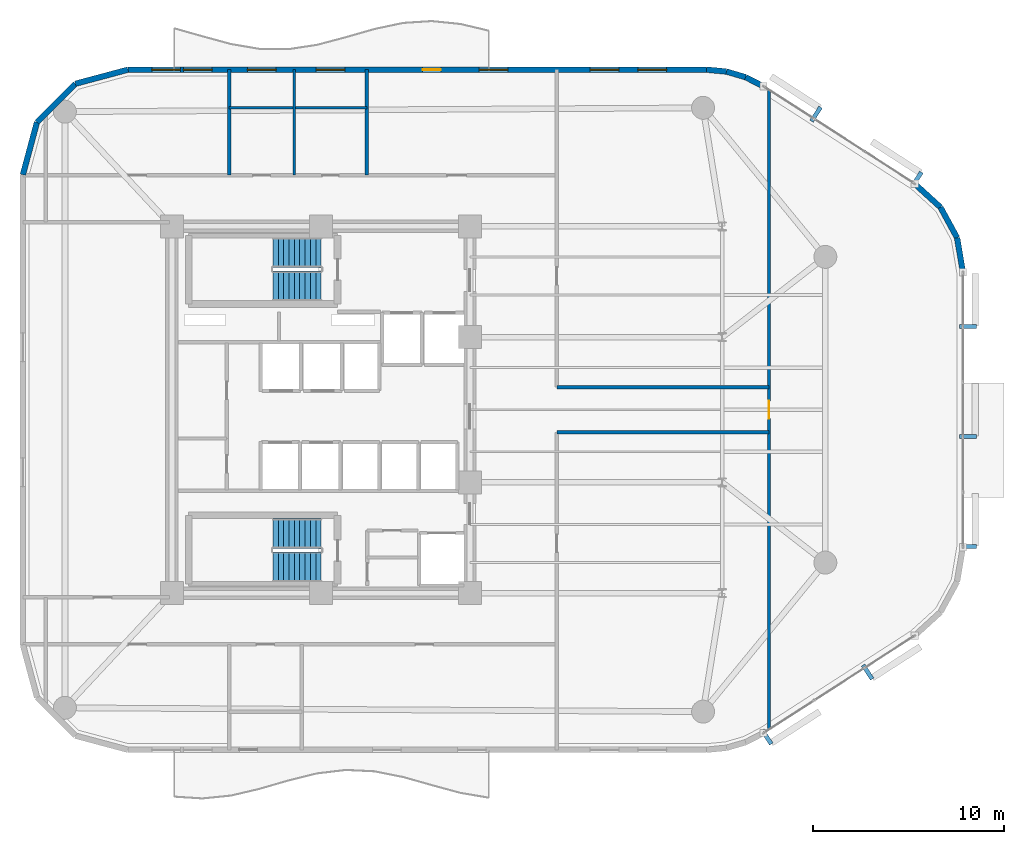
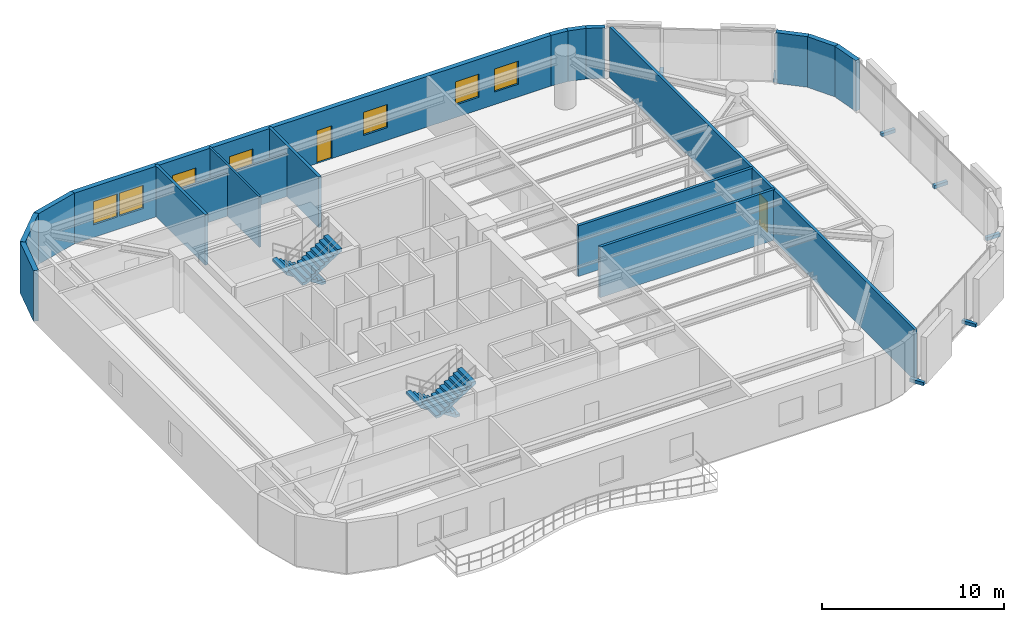
# One storey, part 12 of 14: 17 walls, 7 discrete accessories, 7 windows, 4 stair flights, 2 doors, 9 openings, 2 elements without a shape of their own.
"""IFC4 building model written with IfcOpenShell, lengths in metres."""

from ifc_helpers import new_model, si_unit, direction, frame, frame_2d, origin, origin_2d, place, context, subcontext, project, spatial, polyline, rectangle, outline, extrude, material, layer, layer_set, type_object, element, fill, aggregate, save


model = new_model("IFC4")

# Units and contexts
model_context = context("Model", 3, precision=1e-05, world=origin(), true_north=direction((0.0, 1.0)))
body_context = subcontext(model_context, "Body", "Model", "MODEL_VIEW")
ifc_project = project(units=[si_unit("LENGTHUNIT", "METRE"), si_unit("AREAUNIT", "SQUARE_METRE"), si_unit("VOLUMEUNIT", "CUBIC_METRE"), si_unit("PLANEANGLEUNIT", "RADIAN"), si_unit("MASSUNIT", "GRAM", prefix="KILO")], contexts=[model_context])

# Site, building, storey
site_placement = place(None, origin())
site = spatial("IfcSite", under=ifc_project, at=site_placement, CompositionType="ELEMENT")
building_placement = place(site_placement, origin())
building = spatial("IfcBuilding", under=site, at=building_placement, Name="An Khanh Terracotta Commons", CompositionType="ELEMENT")
storey_placement = place(building_placement, frame((0.0, 0.0, 154.60009765625)))
storey = spatial("IfcBuildingStorey", under=building, at=storey_placement, Name="L40", CompositionType="ELEMENT", Elevation=154.60009765625)

# Walls
ifc_material_1 = material(Name="Fire-Rated Gypsum Board on Steel Stud", Category="steel")
ifc_layer_1 = layer(ifc_material_1, 0.179931640625, Name="Fire-Rated Gypsum Board on Steel Stud")
ifc_layer_set_1 = layer_set([ifc_layer_1], Name="Fire-Rated Gypsum Board on Steel Stud")
wall_type_1 = type_object("IfcWallType", Name="WALL-CORR-180", PredefinedType="PARTITIONING", material=ifc_layer_set_1)
for number, where, z_axis, x_axis, name in (
    (1, (41.75, 22.820068359375, 0.0), (0.0, 0.0, 1.0), (1.0, 0.0, 0.0), "L40 Interior Partition IW-L40-E004"),
    (2, (41.75, 25.179931640625, 0.0), (0.0, 0.0, 1.0), (1.0, 0.0, 0.0), "L40 Interior Partition IW-L40-E005"),
):
    element("IfcWall", number, at=place(storey_placement, frame(where, z_axis=z_axis, x_axis=x_axis)), inside=storey, type_object=wall_type_1, Name=name, PredefinedType="PARTITIONING", context=body_context, shape_type="SweptSolid", body=[
        extrude(rectangle(XDim=11.10009765625, YDim=0.179931640625, at=frame_2d((5.550048828125, 0.0))), origin(), (0.0, 0.0, 1.0), 3.39990234375),
    ])
for number, where, z_axis, x_axis, name in (
    (3, (24.60009765625, 36.280029296875, 0.0), (0.0, 0.0, 1.0), (0.0, 1.0, 0.0), "L40 Interior Partition IW-L40-E012"),
    (4, (31.800048828125, 36.280029296875, 0.0), (0.0, 0.0, 1.0), (0.0, 1.0, 0.0), "L40 Interior Partition IW-L40-E015"),
):
    element("IfcWall", number, at=place(storey_placement, frame(where, z_axis=z_axis, x_axis=x_axis)), inside=storey, type_object=wall_type_1, Name=name, PredefinedType="PARTITIONING", context=body_context, shape_type="SweptSolid", body=[
        extrude(rectangle(XDim=5.52001953125, YDim=0.179931640625, at=frame_2d((2.760009765625, 0.0))), origin(), (0.0, 0.0, 1.0), 3.39990234375),
    ])

# Wall, opening, door
wall_1_placement = place(storey_placement, frame((52.85009765625, 7.262939453125, 0.0), z_axis=(0.0, 0.0, 1.0), x_axis=(0.0, 1.0, 0.0)))
wall_1 = element("IfcWall", 5, at=wall_1_placement, inside=storey, type_object=wall_type_1, Name="L40 Interior Partition IW-L40-E018", PredefinedType="PARTITIONING", context=body_context, shape_type="SweptSolid", body=[
    extrude(rectangle(XDim=33.47412109375, YDim=0.179931640625, at=frame_2d((16.737060546875, 0.0))), origin(), (0.0, 0.0, 1.0), 3.39990234375),
])
opening_1_placement = place(wall_1_placement, frame((16.277099609375, 0.0, 0.0)))
opening_1 = element("IfcOpeningElement", 6, at=opening_1_placement, cuts=wall_1, Name="Opening D-RM", PredefinedType="OPENING", context=body_context, shape_type="SweptSolid", body=[
    extrude(rectangle(XDim=0.919921875, YDim=2.10009765625, at=frame_2d((0.4599609375, 1.050048828125))), frame((0.0, 0.099853515625, 0.0), z_axis=(0.0, -1.0, 0.0), x_axis=(1.0, 0.0, 0.0)), (0.0, 0.0, 1.0), 0.199951171875),
])
ifc_material_2 = material(Name="Engineered Hardwood Timber Leaf", Category="wood")
door_type_1 = type_object("IfcDoorType", Name="DOOR-INT-920", OperationType="NOTDEFINED", PredefinedType="DOOR", material=ifc_material_2)
door_1_placement = place(opening_1_placement, origin())
door_1 = element("IfcDoor", 7, at=door_1_placement, inside=storey, type_object=door_type_1, Name="L40 GHALL Riverfront Reference Library Door", OperationType="SINGLE_SWING_LEFT", OverallHeight=2.10009765625, OverallWidth=0.919921875, PredefinedType="DOOR", context=body_context, shape_type="SweptSolid", body=[
    extrude(rectangle(XDim=0.919921875, YDim=2.10009765625, at=frame_2d((0.4599609375, 1.050048828125))), frame((0.0, 0.02490234375, 0.0), z_axis=(0.0, -1.0, 0.0), x_axis=(1.0, 0.0, 0.0)), (0.0, 0.0, 1.0), 0.050048828125),
])
fill(opening_1, door_1)

# Walls
ifc_material_3 = material(Name="Precast concrete C40/50", Category="concrete")
ifc_layer_2 = layer(ifc_material_3, 0.300048828125, Name="Precast concrete C40/50")
ifc_layer_set_2 = layer_set([ifc_layer_2], Name="Precast concrete C40/50")
wall_type_2 = type_object("IfcWallType", Name="WALL-EXT-300", PredefinedType="SOLIDWALL", material=ifc_layer_set_2)
wall_2_placement = place(storey_placement, frame((63.0, 31.199951171875, 0.0), z_axis=(0.0, 0.0, 1.0), x_axis=(-0.165724081207, 0.986172159873, 0.0)))
element("IfcWall", 8, at=wall_2_placement, inside=storey, type_object=wall_type_2, Name="L40 Insulated Terracotta Exterior Wall 13", PredefinedType="SOLIDWALL", context=body_context, shape_type="SweptSolid", body=[
    extrude(rectangle(XDim=1.822265625, YDim=0.300048828125, at=frame_2d((0.9111328125, 0.0))), origin(), (0.0, 0.0, 1.0), 3.39990234375),
])
wall_3_placement = place(storey_placement, frame((62.697998046875, 32.9970703125, 0.0), z_axis=(0.0, 0.0, 1.0), x_axis=(-0.478608030646, 0.878028674362, 0.0)))
element("IfcWall", 9, at=wall_3_placement, inside=storey, type_object=wall_type_2, Name="L40 Insulated Terracotta Exterior Wall 14", PredefinedType="SOLIDWALL", context=body_context, shape_type="SweptSolid", body=[
    extrude(rectangle(XDim=1.822021484375, YDim=0.300048828125, at=frame_2d((0.9111328125, 0.0))), origin(), (0.0, 0.0, 1.0), 3.39990234375),
])
wall_4_placement = place(storey_placement, frame((61.825927734375, 34.596923828125, 0.0), z_axis=(0.0, 0.0, 1.0), x_axis=(-0.73947929393, 0.673179302897, 0.0)))
element("IfcWall", 10, at=wall_4_placement, inside=storey, type_object=wall_type_2, Name="L40 Insulated Terracotta Exterior Wall 15", PredefinedType="SOLIDWALL", context=body_context, shape_type="SweptSolid", body=[
    extrude(rectangle(XDim=1.82275390625, YDim=0.300048828125, at=frame_2d((0.911376953125, 0.0))), origin(), (0.0, 0.0, 1.0), 3.39990234375),
])
wall_5_placement = place(storey_placement, frame((52.56005859375, 40.924072265625, 0.0), z_axis=(0.0, 0.0, 1.0), x_axis=(-0.888283247196, 0.459296062198, 0.0)))
element("IfcWall", 11, at=wall_5_placement, inside=storey, type_object=wall_type_2, Name="L40 Insulated Terracotta Exterior Wall 17", PredefinedType="SOLIDWALL", context=body_context, shape_type="SweptSolid", body=[
    extrude(rectangle(XDim=1.047119140625, YDim=0.300048828125, at=frame_2d((0.5234375, 0.0))), origin(), (0.0, 0.0, 1.0), 3.39990234375),
])
wall_6_placement = place(storey_placement, frame((51.6298828125, 41.405029296875, 0.0), z_axis=(0.0, 0.0, 1.0), x_axis=(-0.959528674476, 0.281610942363, 0.0)))
element("IfcWall", 12, at=wall_6_placement, inside=storey, type_object=wall_type_2, Name="L40 Insulated Terracotta Exterior Wall 18", PredefinedType="SOLIDWALL", context=body_context, shape_type="SweptSolid", body=[
    extrude(rectangle(XDim=1.04736328125, YDim=0.300048828125, at=frame_2d((0.523681640625, 0.0))), origin(), (0.0, 0.0, 1.0), 3.39990234375),
])
wall_7_placement = place(storey_placement, frame((50.625, 41.699951171875, 0.0), z_axis=(0.0, 0.0, 1.0), x_axis=(-0.995426089968, 0.095534807324, 0.0)))
element("IfcWall", 13, at=wall_7_placement, inside=storey, type_object=wall_type_2, Name="L40 Insulated Terracotta Exterior Wall 19", PredefinedType="SOLIDWALL", context=body_context, shape_type="SweptSolid", body=[
    extrude(rectangle(XDim=1.0478515625, YDim=0.300048828125, at=frame_2d((0.52392578125, 0.0))), origin(), (0.0, 0.0, 1.0), 3.39990234375),
])

# Wall, openings, door, windows
wall_8_placement = place(storey_placement, frame((49.58203125, 41.800048828125, 0.0), z_axis=(0.0, 0.0, 1.0), x_axis=(-1.0, 0.0, 0.0)))
wall_8 = element("IfcWall", 14, at=wall_8_placement, inside=storey, type_object=wall_type_2, Name="L40 Insulated Terracotta Exterior Wall 20", PredefinedType="SOLIDWALL", context=body_context, shape_type="SweptSolid", body=[
    extrude(rectangle(XDim=30.281982421875, YDim=0.300048828125, at=frame_2d((15.14111328125, 0.0))), origin(), (0.0, 0.0, 1.0), 3.39990234375),
])
opening_2_placement = place(wall_8_placement, frame((13.906982421875, 0.0, 0.0)))
opening_2 = element("IfcOpeningElement", 15, at=opening_2_placement, cuts=wall_8, Name="Opening D-BAL", PredefinedType="OPENING", context=body_context, shape_type="SweptSolid", body=[
    extrude(rectangle(XDim=0.949951171875, YDim=2.199951171875, at=frame_2d((0.47509765625, 1.10009765625))), frame((0.0, 0.159912109375, 0.0), z_axis=(0.0, -1.0, 0.0), x_axis=(1.0, 0.0, 0.0)), (0.0, 0.0, 1.0), 0.320068359375),
])
opening_3_placement = place(wall_8_placement, frame((2.093994140625, 0.0, 0.85009765625)))
opening_3 = element("IfcOpeningElement", 16, at=opening_3_placement, cuts=wall_8, Name="Opening W-03", PredefinedType="OPENING", context=body_context, shape_type="SweptSolid", body=[
    extrude(rectangle(XDim=1.5, YDim=1.550048828125, at=frame_2d((0.75, 0.77490234375))), frame((0.0, 0.159912109375, 0.0), z_axis=(0.0, -1.0, 0.0), x_axis=(1.0, 0.0, 0.0)), (0.0, 0.0, 1.0), 0.320068359375),
])
opening_4_placement = place(wall_8_placement, frame((4.587890625, 0.0, 0.85009765625)))
opening_4 = element("IfcOpeningElement", 17, at=opening_4_placement, cuts=wall_8, Name="Opening W-03", PredefinedType="OPENING", context=body_context, shape_type="SweptSolid", body=[
    extrude(rectangle(XDim=1.5, YDim=1.550048828125, at=frame_2d((0.75, 0.77490234375))), frame((0.0, 0.159912109375, 0.0), z_axis=(0.0, -1.0, 0.0), x_axis=(1.0, 0.0, 0.0)), (0.0, 0.0, 1.0), 0.320068359375),
])
opening_5_placement = place(wall_8_placement, frame((10.39892578125, 0.0, 0.85009765625)))
opening_5 = element("IfcOpeningElement", 18, at=opening_5_placement, cuts=wall_8, Name="Opening W-03", PredefinedType="OPENING", context=body_context, shape_type="SweptSolid", body=[
    extrude(rectangle(XDim=1.5, YDim=1.550048828125, at=frame_2d((0.75, 0.77490234375))), frame((0.0, 0.159912109375, 0.0), z_axis=(0.0, -1.0, 0.0), x_axis=(1.0, 0.0, 0.0)), (0.0, 0.0, 1.0), 0.320068359375),
])
opening_6_placement = place(wall_8_placement, frame((18.931884765625, 0.0, 0.85009765625)))
opening_6 = element("IfcOpeningElement", 19, at=opening_6_placement, cuts=wall_8, Name="Opening W-03", PredefinedType="OPENING", context=body_context, shape_type="SweptSolid", body=[
    extrude(rectangle(XDim=1.5, YDim=1.550048828125, at=frame_2d((0.75, 0.77490234375))), frame((0.0, 0.159912109375, 0.0), z_axis=(0.0, -1.0, 0.0), x_axis=(1.0, 0.0, 0.0)), (0.0, 0.0, 1.0), 0.320068359375),
])
opening_7_placement = place(wall_8_placement, frame((22.531982421875, 0.0, 0.85009765625)))
opening_7 = element("IfcOpeningElement", 20, at=opening_7_placement, cuts=wall_8, Name="Opening W-03", PredefinedType="OPENING", context=body_context, shape_type="SweptSolid", body=[
    extrude(rectangle(XDim=1.5, YDim=1.550048828125, at=frame_2d((0.75, 0.77490234375))), frame((0.0, 0.159912109375, 0.0), z_axis=(0.0, -1.0, 0.0), x_axis=(1.0, 0.0, 0.0)), (0.0, 0.0, 1.0), 0.320068359375),
])
opening_8_placement = place(wall_8_placement, frame((25.882080078125, 0.0, 0.85009765625)))
opening_8 = element("IfcOpeningElement", 21, at=opening_8_placement, cuts=wall_8, Name="Opening W-03", PredefinedType="OPENING", context=body_context, shape_type="SweptSolid", body=[
    extrude(rectangle(XDim=1.5, YDim=1.550048828125, at=frame_2d((0.75, 0.77490234375))), frame((0.0, 0.159912109375, 0.0), z_axis=(0.0, -1.0, 0.0), x_axis=(1.0, 0.0, 0.0)), (0.0, 0.0, 1.0), 0.320068359375),
])
opening_9_placement = place(wall_8_placement, frame((27.531982421875, 0.0, 0.85009765625)))
opening_9 = element("IfcOpeningElement", 22, at=opening_9_placement, cuts=wall_8, Name="Opening W-03", PredefinedType="OPENING", context=body_context, shape_type="SweptSolid", body=[
    extrude(rectangle(XDim=1.5, YDim=1.550048828125, at=frame_2d((0.75, 0.77490234375))), frame((0.0, 0.159912109375, 0.0), z_axis=(0.0, -1.0, 0.0), x_axis=(1.0, 0.0, 0.0)), (0.0, 0.0, 1.0), 0.320068359375),
])
ifc_material_4 = material(Name="Thermally Broken Aluminium and Low-E Glass", Category="aluminium")
door_type_2 = type_object("IfcDoorType", Name="DOOR-BALC-950", OperationType="NOTDEFINED", PredefinedType="DOOR", material=ifc_material_4)
door_2_placement = place(opening_2_placement, origin())
door_2 = element("IfcDoor", 23, at=door_2_placement, inside=storey, type_object=door_type_2, Name="L40 N Wave Balcony Glazed Door", OperationType="SINGLE_SWING_RIGHT", OverallHeight=2.199951171875, OverallWidth=0.949951171875, PredefinedType="DOOR", context=body_context, shape_type="SweptSolid", body=[
    extrude(rectangle(XDim=0.949951171875, YDim=2.199951171875, at=frame_2d((0.47509765625, 1.10009765625))), frame((0.0, 0.02490234375, 0.0), z_axis=(0.0, -1.0, 0.0), x_axis=(1.0, 0.0, 0.0)), (0.0, 0.0, 1.0), 0.050048828125),
])
fill(opening_2, door_2)
window_type = type_object("IfcWindowType", Name="WIN-Z3-1500x1550", PartitioningType="DOUBLE_PANEL_VERTICAL", PredefinedType="WINDOW", material=ifc_material_4)
window_1_placement = place(opening_3_placement, origin())
window_1 = element("IfcWindow", 24, at=window_1_placement, inside=storey, type_object=window_type, Name="L40 Operable Casement Window 20.1", OverallHeight=1.550048828125, OverallWidth=1.5, PartitioningType="DOUBLE_PANEL_VERTICAL", PredefinedType="WINDOW", context=body_context, shape_type="SweptSolid", body=[
    extrude(rectangle(XDim=1.5, YDim=1.550048828125, at=frame_2d((0.75, 0.77490234375))), frame((0.0, 0.030029296875, 0.0), z_axis=(0.0, -1.0, 0.0), x_axis=(1.0, 0.0, 0.0)), (0.0, 0.0, 1.0), 0.06005859375),
])
fill(opening_3, window_1)
window_2_placement = place(opening_4_placement, origin())
window_2 = element("IfcWindow", 25, at=window_2_placement, inside=storey, type_object=window_type, Name="L40 Operable Casement Window 20.2", OverallHeight=1.550048828125, OverallWidth=1.5, PartitioningType="DOUBLE_PANEL_VERTICAL", PredefinedType="WINDOW", context=body_context, shape_type="SweptSolid", body=[
    extrude(rectangle(XDim=1.5, YDim=1.550048828125, at=frame_2d((0.75, 0.77490234375))), frame((0.0, 0.030029296875, 0.0), z_axis=(0.0, -1.0, 0.0), x_axis=(1.0, 0.0, 0.0)), (0.0, 0.0, 1.0), 0.06005859375),
])
fill(opening_4, window_2)
window_3_placement = place(opening_5_placement, origin())
window_3 = element("IfcWindow", 26, at=window_3_placement, inside=storey, type_object=window_type, Name="L40 Operable Casement Window 20.3", OverallHeight=1.550048828125, OverallWidth=1.5, PartitioningType="DOUBLE_PANEL_VERTICAL", PredefinedType="WINDOW", context=body_context, shape_type="SweptSolid", body=[
    extrude(rectangle(XDim=1.5, YDim=1.550048828125, at=frame_2d((0.75, 0.77490234375))), frame((0.0, 0.030029296875, 0.0), z_axis=(0.0, -1.0, 0.0), x_axis=(1.0, 0.0, 0.0)), (0.0, 0.0, 1.0), 0.06005859375),
])
fill(opening_5, window_3)
window_4_placement = place(opening_6_placement, origin())
window_4 = element("IfcWindow", 27, at=window_4_placement, inside=storey, type_object=window_type, Name="L40 Operable Casement Window 20.4", OverallHeight=1.550048828125, OverallWidth=1.5, PartitioningType="DOUBLE_PANEL_VERTICAL", PredefinedType="WINDOW", context=body_context, shape_type="SweptSolid", body=[
    extrude(rectangle(XDim=1.5, YDim=1.550048828125, at=frame_2d((0.75, 0.77490234375))), frame((0.0, 0.030029296875, 0.0), z_axis=(0.0, -1.0, 0.0), x_axis=(1.0, 0.0, 0.0)), (0.0, 0.0, 1.0), 0.06005859375),
])
fill(opening_6, window_4)
window_5_placement = place(opening_7_placement, origin())
window_5 = element("IfcWindow", 28, at=window_5_placement, inside=storey, type_object=window_type, Name="L40 Operable Casement Window 20.5", OverallHeight=1.550048828125, OverallWidth=1.5, PartitioningType="DOUBLE_PANEL_VERTICAL", PredefinedType="WINDOW", context=body_context, shape_type="SweptSolid", body=[
    extrude(rectangle(XDim=1.5, YDim=1.550048828125, at=frame_2d((0.75, 0.77490234375))), frame((0.0, 0.030029296875, 0.0), z_axis=(0.0, -1.0, 0.0), x_axis=(1.0, 0.0, 0.0)), (0.0, 0.0, 1.0), 0.06005859375),
])
fill(opening_7, window_5)
window_6_placement = place(opening_8_placement, origin())
window_6 = element("IfcWindow", 29, at=window_6_placement, inside=storey, type_object=window_type, Name="L40 Operable Casement Window 20.6", OverallHeight=1.550048828125, OverallWidth=1.5, PartitioningType="DOUBLE_PANEL_VERTICAL", PredefinedType="WINDOW", context=body_context, shape_type="SweptSolid", body=[
    extrude(rectangle(XDim=1.5, YDim=1.550048828125, at=frame_2d((0.75, 0.77490234375))), frame((0.0, 0.030029296875, 0.0), z_axis=(0.0, -1.0, 0.0), x_axis=(1.0, 0.0, 0.0)), (0.0, 0.0, 1.0), 0.06005859375),
])
fill(opening_8, window_6)
window_7_placement = place(opening_9_placement, origin())
window_7 = element("IfcWindow", 30, at=window_7_placement, inside=storey, type_object=window_type, Name="L40 Operable Casement Window 20.7", OverallHeight=1.550048828125, OverallWidth=1.5, PartitioningType="DOUBLE_PANEL_VERTICAL", PredefinedType="WINDOW", context=body_context, shape_type="SweptSolid", body=[
    extrude(rectangle(XDim=1.5, YDim=1.550048828125, at=frame_2d((0.75, 0.77490234375))), frame((0.0, 0.030029296875, 0.0), z_axis=(0.0, -1.0, 0.0), x_axis=(1.0, 0.0, 0.0)), (0.0, 0.0, 1.0), 0.06005859375),
])
fill(opening_9, window_7)

# Walls
wall_9_placement = place(storey_placement, frame((19.300048828125, 41.800048828125, 0.0), z_axis=(0.0, 0.0, 1.0), x_axis=(-0.965908238586, -0.258884674387, 0.0)))
element("IfcWall", 31, at=wall_9_placement, inside=storey, type_object=wall_type_2, Name="L40 Insulated Terracotta Exterior Wall 21", PredefinedType="SOLIDWALL", context=body_context, shape_type="SweptSolid", body=[
    extrude(rectangle(XDim=2.84716796875, YDim=0.300048828125, at=frame_2d((1.423583984375, 0.0))), origin(), (0.0, 0.0, 1.0), 3.39990234375),
])
wall_10_placement = place(storey_placement, frame((16.550048828125, 41.06298828125, 0.0), z_axis=(0.0, 0.0, 1.0), x_axis=(-0.707106781187, -0.707106781187, 0.0)))
element("IfcWall", 32, at=wall_10_placement, inside=storey, type_object=wall_type_2, Name="L40 Insulated Terracotta Exterior Wall 22", PredefinedType="SOLIDWALL", context=body_context, shape_type="SweptSolid", body=[
    extrude(rectangle(XDim=2.8466796875, YDim=0.300048828125, at=frame_2d((1.42333984375, 0.0))), origin(), (0.0, 0.0, 1.0), 3.39990234375),
])
wall_11_placement = place(storey_placement, frame((14.537109375, 39.050048828125, 0.0), z_axis=(0.0, 0.0, 1.0), x_axis=(-0.258884674387, -0.965908238586, 0.0)))
element("IfcWall", 33, at=wall_11_placement, inside=storey, type_object=wall_type_2, Name="L40 Insulated Terracotta Exterior Wall 23", PredefinedType="SOLIDWALL", context=body_context, shape_type="SweptSolid", body=[
    extrude(rectangle(XDim=2.84716796875, YDim=0.300048828125, at=frame_2d((1.423583984375, 0.0))), origin(), (0.0, 0.0, 1.0), 3.39990234375),
])
ifc_material_5 = material(Name="Moisture-Resistant Cement Board Partition")
ifc_layer_3 = layer(ifc_material_5, 0.1201171875, Name="Moisture-Resistant Cement Board Partition")
ifc_layer_set_3 = layer_set([ifc_layer_3], Name="Moisture-Resistant Cement Board Partition")
wall_type_3 = type_object("IfcWallType", Name="WALL-WET-120", PredefinedType="PARTITIONING", material=ifc_layer_set_3)
wall_12_placement = place(storey_placement, frame((24.60009765625, 39.800048828125, 0.0), z_axis=(0.0, 0.0, 1.0), x_axis=(1.0, 0.0, 0.0)))
element("IfcWall", 34, at=wall_12_placement, inside=storey, type_object=wall_type_3, Name="L40 Interior Partition IW-L40-E008", PredefinedType="PARTITIONING", context=body_context, shape_type="SweptSolid", body=[
    extrude(rectangle(XDim=7.199951171875, YDim=0.1201171875, at=frame_2d((3.60009765625, 0.0))), origin(), (0.0, 0.0, 1.0), 2.8818359375),
])
wall_13_placement = place(storey_placement, frame((28.0, 36.280029296875, 0.0), z_axis=(0.0, 0.0, 1.0), x_axis=(0.0, 1.0, 0.0)))
element("IfcWall", 35, at=wall_13_placement, inside=storey, type_object=wall_type_3, Name="L40 Interior Partition IW-L40-E013", PredefinedType="PARTITIONING", context=body_context, shape_type="SweptSolid", body=[
    extrude(rectangle(XDim=5.52001953125, YDim=0.1201171875, at=frame_2d((2.760009765625, 0.0))), origin(), (0.0, 0.0, 1.0), 3.39990234375),
])

# Stair, stair flights
stair_type = type_object("IfcStairType", Name="STAIR-CORE-1550", PredefinedType="HALF_TURN_STAIR", material=ifc_material_3)
stair_1_placement = place(storey_placement, origin())
stair_1 = element("IfcStair", 36, at=stair_1_placement, inside=storey, type_object=stair_type, Name="L40 Core Smokeproof Exit Stair ST-01", PredefinedType="HALF_TURN_STAIR")
stair_flight_type = type_object("IfcStairFlightType", Name="FLIGHT-CORE-1550", PredefinedType="STRAIGHT", material=ifc_material_3)
stair_flight_1_placement = place(storey_placement, frame((29.409912109375, 32.22509765625, 0.0), z_axis=(0.0, 0.0, 1.0), x_axis=(-1.0, 0.0, 0.0)))
stair_flight_1 = element("IfcStairFlight", 37, at=stair_flight_1_placement, type_object=stair_flight_type, Name="ST-01 flight 1", NumberOfRisers=10, NumberOfTreads=9, PredefinedType="STRAIGHT", RiserHeight=0.18, TreadLength=0.28, context=body_context, shape_type="SweptSolid", body=[
    extrude(outline(polyline([(0.0, 0.0), (0.0, 0.179931640625), (0.280029296875, 0.179931640625), (0.280029296875, 0.360107421875), (0.56005859375, 0.360107421875), (0.56005859375, 0.5400390625), (0.840087890625, 0.5400390625), (0.840087890625, 0.719970703125), (1.1201171875, 0.719970703125), (1.1201171875, 0.89990234375), (1.39990234375, 0.89990234375), (1.39990234375, 1.080078125), (1.679931640625, 1.080078125), (1.679931640625, 1.260009765625), (1.9599609375, 1.260009765625), (1.9599609375, 1.43994140625), (2.239990234375, 1.43994140625), (2.239990234375, 1.6201171875), (2.52001953125, 1.6201171875), (2.52001953125, 1.800048828125), (2.52001953125, 1.44189453125), (0.277099609375, 0.0), (0.0, 0.0)])), frame((0.0, 0.77490234375, 0.0), z_axis=(0.0, -1.0, 0.0), x_axis=(1.0, 0.0, 0.0)), (0.0, 0.0, 1.0), 1.550048828125),
])
stair_flight_2_placement = place(storey_placement, frame((26.889892578125, 30.47509765625, 1.7998046875), z_axis=(0.0, 0.0, 1.0), x_axis=(1.0, 0.0, 0.0)))
stair_flight_2 = element("IfcStairFlight", 38, at=stair_flight_2_placement, type_object=stair_flight_type, Name="ST-01 flight 2", NumberOfRisers=10, NumberOfTreads=9, PredefinedType="STRAIGHT", RiserHeight=0.18, TreadLength=0.28, context=body_context, shape_type="SweptSolid", body=[
    extrude(outline(polyline([(0.0, 0.0), (0.0, 0.179931640625), (0.280029296875, 0.179931640625), (0.280029296875, 0.360107421875), (0.56005859375, 0.360107421875), (0.56005859375, 0.5400390625), (0.840087890625, 0.5400390625), (0.840087890625, 0.719970703125), (1.1201171875, 0.719970703125), (1.1201171875, 0.89990234375), (1.39990234375, 0.89990234375), (1.39990234375, 1.080078125), (1.679931640625, 1.080078125), (1.679931640625, 1.260009765625), (1.9599609375, 1.260009765625), (1.9599609375, 1.43994140625), (2.239990234375, 1.43994140625), (2.239990234375, 1.6201171875), (2.52001953125, 1.6201171875), (2.52001953125, 1.800048828125), (2.52001953125, 1.44189453125), (0.277099609375, 0.0), (0.0, 0.0)])), frame((0.0, 0.77490234375, 0.0), z_axis=(0.0, -1.0, 0.0), x_axis=(1.0, 0.0, 0.0)), (0.0, 0.0, 1.0), 1.550048828125),
])
aggregate(stair_1, [stair_flight_1, stair_flight_2])

stair_2_placement = place(storey_placement, origin())
stair_2 = element("IfcStair", 39, at=stair_2_placement, inside=storey, type_object=stair_type, Name="L40 Core Smokeproof Exit Stair ST-02", PredefinedType="HALF_TURN_STAIR")
stair_flight_3_placement = place(storey_placement, frame((29.409912109375, 17.52490234375, 0.0), z_axis=(0.0, 0.0, 1.0), x_axis=(-1.0, 0.0, 0.0)))
stair_flight_3 = element("IfcStairFlight", 40, at=stair_flight_3_placement, type_object=stair_flight_type, Name="ST-02 flight 1", NumberOfRisers=10, NumberOfTreads=9, PredefinedType="STRAIGHT", RiserHeight=0.18, TreadLength=0.28, context=body_context, shape_type="SweptSolid", body=[
    extrude(outline(polyline([(0.0, 0.0), (0.0, 0.179931640625), (0.280029296875, 0.179931640625), (0.280029296875, 0.360107421875), (0.56005859375, 0.360107421875), (0.56005859375, 0.5400390625), (0.840087890625, 0.5400390625), (0.840087890625, 0.719970703125), (1.1201171875, 0.719970703125), (1.1201171875, 0.89990234375), (1.39990234375, 0.89990234375), (1.39990234375, 1.080078125), (1.679931640625, 1.080078125), (1.679931640625, 1.260009765625), (1.9599609375, 1.260009765625), (1.9599609375, 1.43994140625), (2.239990234375, 1.43994140625), (2.239990234375, 1.6201171875), (2.52001953125, 1.6201171875), (2.52001953125, 1.800048828125), (2.52001953125, 1.44189453125), (0.277099609375, 0.0), (0.0, 0.0)])), frame((0.0, 0.77490234375, 0.0), z_axis=(0.0, -1.0, 0.0), x_axis=(1.0, 0.0, 0.0)), (0.0, 0.0, 1.0), 1.550048828125),
])
stair_flight_4_placement = place(storey_placement, frame((26.889892578125, 15.77490234375, 1.7998046875), z_axis=(0.0, 0.0, 1.0), x_axis=(1.0, 0.0, 0.0)))
stair_flight_4 = element("IfcStairFlight", 41, at=stair_flight_4_placement, type_object=stair_flight_type, Name="ST-02 flight 2", NumberOfRisers=10, NumberOfTreads=9, PredefinedType="STRAIGHT", RiserHeight=0.18, TreadLength=0.28, context=body_context, shape_type="SweptSolid", body=[
    extrude(outline(polyline([(0.0, 0.0), (0.0, 0.179931640625), (0.280029296875, 0.179931640625), (0.280029296875, 0.360107421875), (0.56005859375, 0.360107421875), (0.56005859375, 0.5400390625), (0.840087890625, 0.5400390625), (0.840087890625, 0.719970703125), (1.1201171875, 0.719970703125), (1.1201171875, 0.89990234375), (1.39990234375, 0.89990234375), (1.39990234375, 1.080078125), (1.679931640625, 1.080078125), (1.679931640625, 1.260009765625), (1.9599609375, 1.260009765625), (1.9599609375, 1.43994140625), (2.239990234375, 1.43994140625), (2.239990234375, 1.6201171875), (2.52001953125, 1.6201171875), (2.52001953125, 1.800048828125), (2.52001953125, 1.44189453125), (0.277099609375, 0.0), (0.0, 0.0)])), frame((0.0, 0.77490234375, 0.0), z_axis=(0.0, -1.0, 0.0), x_axis=(1.0, 0.0, 0.0)), (0.0, 0.0, 1.0), 1.550048828125),
])
aggregate(stair_2, [stair_flight_3, stair_flight_4])

# Discrete accessories
ifc_material_6 = material(Name="Stainless Steel Grade 316L", Category="steel")
discrete_accessory_type = type_object("IfcDiscreteAccessoryType", Name="Stainless Outrigger Facade Bracket", PredefinedType="BRACKET", material=ifc_material_6)
for number, where, z_axis, x_axis, name in (
    (42, (52.73291015625, 6.8720703125, 0.06982421875), (0.0, 0.0, 1.0), (0.840702081986, 0.541497931062, 0.0), "L40 Terracotta Screen Outrigger Bracket 1"),
    (43, (58.011962890625, 10.27197265625, 0.06982421875), (0.0, 0.0, 1.0), (0.840702081986, 0.541497931062, 0.0), "L40 Terracotta Screen Outrigger Bracket 3"),
    (44, (63.264892578125, 16.8349609375, 0.06982421875), (0.0, 0.0, 1.0), (0.0, 1.0, 0.0), "L40 Terracotta Screen Outrigger Bracket 1"),
    (45, (63.264892578125, 22.594970703125, 0.06982421875), (0.0, 0.0, 1.0), (0.0, 1.0, 0.0), "L40 Terracotta Screen Outrigger Bracket 3"),
    (46, (63.264892578125, 28.35498046875, 0.06982421875), (0.0, 0.0, 1.0), (0.0, 1.0, 0.0), "L40 Terracotta Screen Outrigger Bracket 5"),
    (47, (60.592041015625, 36.06591796875, 0.06982421875), (0.0, 0.0, 1.0), (-0.840702081986, 0.541497931062, 0.0), "L40 Terracotta Screen Outrigger Bracket 1"),
    (48, (55.31298828125, 39.466064453125, 0.06982421875), (0.0, 0.0, 1.0), (-0.840702081986, 0.541497931062, 0.0), "L40 Terracotta Screen Outrigger Bracket 3"),
):
    element("IfcDiscreteAccessory", number, at=place(storey_placement, frame(where, z_axis=z_axis, x_axis=x_axis)), inside=storey, type_object=discrete_accessory_type, Name=name, PredefinedType="BRACKET", context=body_context, shape_type="SweptSolid", body=[
        extrude(rectangle(XDim=0.219970703125, YDim=0.8701171875, at=origin_2d()), origin(), (0.0, 0.0, 1.0), 0.219970703125),
    ])

save(model, "model.ifc")
